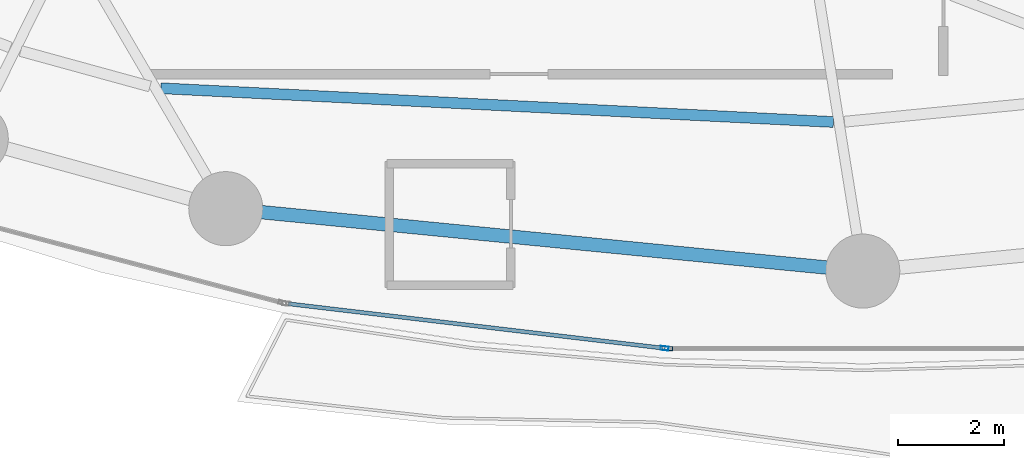
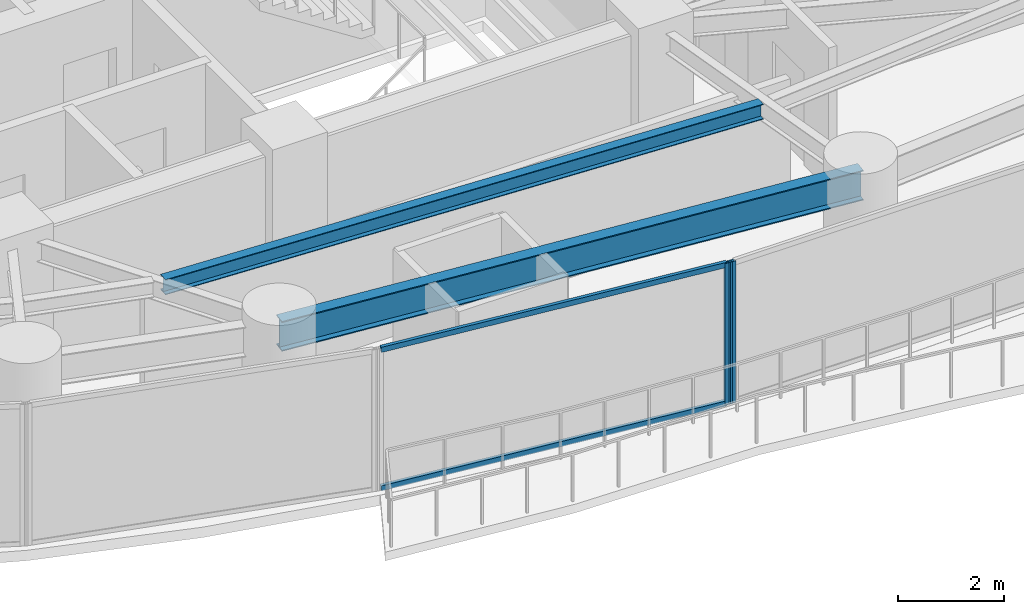
# One storey, part 6 of 30: 4 members, 2 beams, 2 elements without a shape of their own.
"""IFC4 building model written with IfcOpenShell, lengths in metres."""

from ifc_helpers import new_model, si_unit, direction, frame, origin, origin_2d, place, context, subcontext, project, spatial, hollow_rectangle, i_section, extrude, material, layer, layer_set, material_profile, profile_set, type_object, element, aggregate, save


model = new_model("IFC4")

# Units and contexts
model_context = context("Model", 3, precision=1e-05, world=origin(), true_north=direction((0.0, 1.0)))
body_context = subcontext(model_context, "Body", "Model", "MODEL_VIEW")
ifc_project = project(units=[si_unit("LENGTHUNIT", "METRE"), si_unit("AREAUNIT", "SQUARE_METRE"), si_unit("VOLUMEUNIT", "CUBIC_METRE"), si_unit("PLANEANGLEUNIT", "RADIAN"), si_unit("MASSUNIT", "GRAM", prefix="KILO")], contexts=[model_context])

# Site, building, storey
site_placement = place(None, origin())
site = spatial("IfcSite", under=ifc_project, at=site_placement, CompositionType="ELEMENT")
building_placement = place(site_placement, origin())
building = spatial("IfcBuilding", under=site, at=building_placement, Name="Kazevale Care Tower and Concert Hall", CompositionType="ELEMENT")
storey_placement = place(building_placement, frame((0.0, 0.0, 88.800048828125)))
storey = spatial("IfcBuildingStorey", under=building, at=storey_placement, Name="L23", CompositionType="ELEMENT", Elevation=88.800048828125)

# Curtain wall, member
ifc_material_1 = material(Name="Aluminium 6063-T6 and Low-E Glass", Category="aluminium")
ifc_layer = layer(ifc_material_1, 0.179931640625)
ifc_layer_set = layer_set([ifc_layer], Name="Aluminium 6063-T6 and Low-E Glass")
curtain_wall_type = type_object("IfcCurtainWallType", Name="Sheltered Concave Balcony Curtain Wall CW-5", PredefinedType="NOTDEFINED", material=ifc_layer_set)
curtain_wall_1_placement = place(storey_placement, origin())
curtain_wall_1 = element("IfcCurtainWall", 1, at=curtain_wall_1_placement, inside=storey, type_object=curtain_wall_type, Name="cw:L23:f06", PredefinedType="NOTDEFINED")
ifc_material_2 = material(Name="Aluminium 6063-T6", Category="aluminium")
ifc_material_profile_1 = material_profile(ifc_material_2, hollow_rectangle(XDim=0.074951171875, YDim=0.14990234375, WallThickness=0.00390625, at=origin_2d()), Name="ALU75x150x4")
ifc_profile_set_1 = profile_set([ifc_material_profile_1], Name="Aluminium 6063-T6")
member_type_1 = type_object("IfcMemberType", Name="CW-5 Mullion ALU75x150x4", PredefinedType="MULLION", material=ifc_profile_set_1)
member_1_placement = place(storey_placement, frame((41.33056640625, 15.885986328125, 0.0), z_axis=(0.0, 0.0, 1.0), x_axis=(0.0, -1.0, 0.0)))
member_1 = element("IfcMember", 2, at=member_1_placement, type_object=member_type_1, Name="CW-5 mullion 2", PredefinedType="MULLION", context=body_context, shape_type="SweptSolid", body=[
    extrude(hollow_rectangle(XDim=0.074951171875, YDim=0.14990234375, WallThickness=0.00390625, at=origin_2d()), origin(), (0.0, 0.0, 1.0), 3.280029296875),
])
aggregate(curtain_wall_1, [member_1])

# Curtain wall, members
curtain_wall_2_placement = place(storey_placement, origin())
curtain_wall_2 = element("IfcCurtainWall", 3, at=curtain_wall_2_placement, inside=storey, type_object=curtain_wall_type, Name="cw:L23:f07", PredefinedType="NOTDEFINED")
member_2_placement = place(storey_placement, frame((41.255859375, 15.890380859375, 0.0), z_axis=(0.0, 0.0, 1.0), x_axis=(-0.117519084253, -0.993070624294, 0.0)))
member_2 = element("IfcMember", 4, at=member_2_placement, type_object=member_type_1, Name="CW-5 mullion 1", PredefinedType="MULLION", context=body_context, shape_type="SweptSolid", body=[
    extrude(hollow_rectangle(XDim=0.074951171875, YDim=0.14990234375, WallThickness=0.00390625, at=origin_2d()), origin(), (0.0, 0.0, 1.0), 3.280029296875),
])
ifc_material_profile_2 = material_profile(ifc_material_2, hollow_rectangle(XDim=0.074951171875, YDim=0.1201171875, WallThickness=0.00390625, at=origin_2d()), Name="ALU75x120x4")
ifc_profile_set_2 = profile_set([ifc_material_profile_2], Name="Aluminium 6063-T6")
member_type_2 = type_object("IfcMemberType", Name="CW-5 Transom ALU75x120x4", PredefinedType="USERDEFINED", material=ifc_profile_set_2)
member_3_placement = place(storey_placement, frame((41.218505859375, 15.894775390625, 0.037353515625), z_axis=(-0.993069913078, 0.117525094085, 0.0), x_axis=(-0.117525094085, -0.993069913078, 0.0)))
member_3 = element("IfcMember", 5, at=member_3_placement, type_object=member_type_2, Name="CW-5 transom 1.1", ObjectType="TRANSOM", PredefinedType="USERDEFINED", context=body_context, shape_type="SweptSolid", body=[
    extrude(hollow_rectangle(XDim=0.074951171875, YDim=0.1201171875, WallThickness=0.00390625, at=origin_2d()), origin(), (0.0, 0.0, 1.0), 7.125244140625),
])
member_4_placement = place(storey_placement, frame((41.218505859375, 15.894775390625, 3.242431640625), z_axis=(-0.993069913078, 0.117525094085, 0.0), x_axis=(-0.117525094085, -0.993069913078, 0.0)))
member_4 = element("IfcMember", 6, at=member_4_placement, type_object=member_type_2, Name="CW-5 transom 1.2", ObjectType="TRANSOM", PredefinedType="USERDEFINED", context=body_context, shape_type="SweptSolid", body=[
    extrude(hollow_rectangle(XDim=0.074951171875, YDim=0.1201171875, WallThickness=0.00390625, at=origin_2d()), origin(), (0.0, 0.0, 1.0), 7.125244140625),
])
aggregate(curtain_wall_2, [member_2, member_3, member_4])

# Beams
ifc_material_3 = material(Name="Steel ASTM A572 Gr 50", Category="steel")
ifc_material_profile_3 = material_profile(ifc_material_3, i_section(OverallWidth=0.205078125, OverallDepth=0.35400390625, WebThickness=0.009521484375, FlangeThickness=0.016845703125, at=origin_2d()), Name="W360x79")
ifc_profile_set_3 = profile_set([ifc_material_profile_3], Name="Steel ASTM A572 Gr 50")
beam_type_1 = type_object("IfcBeamType", Name="Secondary Floor Joist W360x79", PredefinedType="JOIST", material=ifc_profile_set_3)
beam_1_placement = place(storey_placement, frame((31.73291015625, 20.805908203125, 3.10302734375), z_axis=(0.998743186005, -0.050120339262, 0.0), x_axis=(0.050120339262, 0.998743186005, 0.0)))
element("IfcBeam", 7, at=beam_1_placement, inside=storey, type_object=beam_type_1, Name="beam:L23:joist:12", PredefinedType="JOIST", context=body_context, shape_type="SweptSolid", body=[
    extrude(i_section(OverallWidth=0.205078125, OverallDepth=0.35400390625, WebThickness=0.009521484375, FlangeThickness=0.016845703125, at=origin_2d()), origin(), (0.0, 0.0, 1.0), 12.728271484375),
])
ifc_material_profile_4 = material_profile(ifc_material_3, i_section(OverallWidth=0.256103515625, OverallDepth=0.693115234375, WebThickness=0.014404296875, FlangeThickness=0.023681640625, at=origin_2d()), Name="W690x170")
ifc_profile_set_4 = profile_set([ifc_material_profile_4], Name="Steel ASTM A572 Gr 50")
beam_type_2 = type_object("IfcBeamType", Name="Waist Ring Beam W690x170", PredefinedType="BEAM", material=ifc_profile_set_4)
beam_2_placement = place(storey_placement, frame((32.9599609375, 18.530029296875, 2.933349609375), z_axis=(0.995232251602, -0.09753340644, 0.0), x_axis=(0.09753340644, 0.995232251602, 0.0)))
element("IfcBeam", 8, at=beam_2_placement, inside=storey, type_object=beam_type_2, Name="beam:L23:ring:12", PredefinedType="BEAM", context=body_context, shape_type="SweptSolid", body=[
    extrude(i_section(OverallWidth=0.256103515625, OverallDepth=0.693115234375, WebThickness=0.014404296875, FlangeThickness=0.023681640625, at=origin_2d()), origin(), (0.0, 0.0, 1.0), 12.09765625),
])

save(model, "model.ifc")
